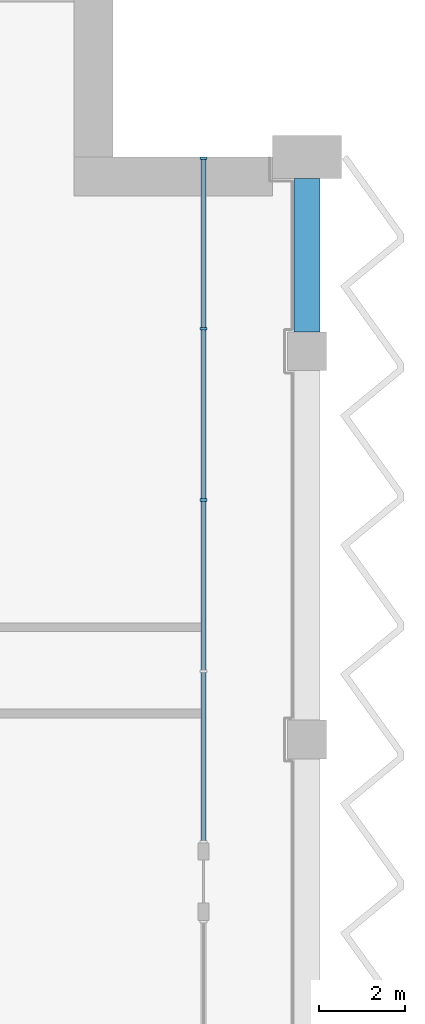
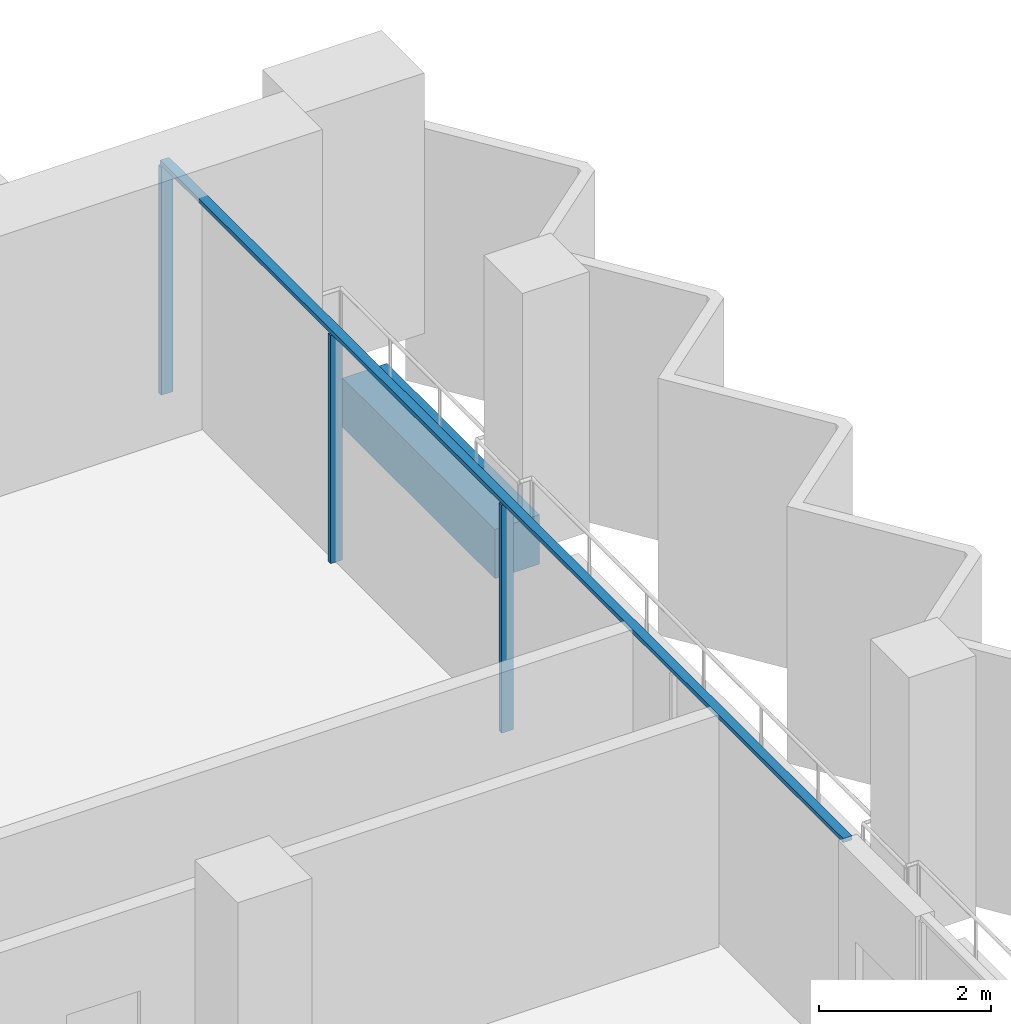
# One storey, part 5 of 16: 4 members, 1 beam, 1 element without a shape of its own.
"""IFC4 building model written with IfcOpenShell, lengths in metres."""

from ifc_helpers import new_model, si_unit, direction, frame, origin, origin_2d, place, context, subcontext, project, spatial, rectangle, extrude, material, material_profile, profile_set, type_object, element, aggregate, save


model = new_model("IFC4")

# Units and contexts
model_context = context("Model", 3, precision=1e-05, world=origin(), true_north=direction((0.0, 1.0)))
body_context = subcontext(model_context, "Body", "Model", "MODEL_VIEW")
ifc_project = project(units=[si_unit("LENGTHUNIT", "METRE"), si_unit("AREAUNIT", "SQUARE_METRE"), si_unit("VOLUMEUNIT", "CUBIC_METRE"), si_unit("PLANEANGLEUNIT", "RADIAN"), si_unit("MASSUNIT", "GRAM", prefix="KILO")], contexts=[model_context])

# Site, building, storey
site_placement = place(None, origin())
site = spatial("IfcSite", under=ifc_project, at=site_placement, CompositionType="ELEMENT")
building_placement = place(site_placement, origin())
building = spatial("IfcBuilding", under=site, at=building_placement, Name="Hunhe Ridgeline Campus", CompositionType="ELEMENT")
storey_placement = place(building_placement, frame((0.0, 0.0, 254.0)))
storey = spatial("IfcBuildingStorey", under=building, at=storey_placement, Name="L65", CompositionType="ELEMENT", Elevation=254.0)

# Curtain wall, members
ifc_material_1 = material(Name="Aluminium 6063", Category="aluminium")
curtain_wall_type = type_object("IfcCurtainWallType", Name="Curtain wall CW-1", PredefinedType="NOTDEFINED", material=ifc_material_1)
curtain_wall_placement = place(storey_placement, origin())
curtain_wall = element("IfcCurtainWall", 1, at=curtain_wall_placement, inside=storey, type_object=curtain_wall_type, Name="Curtain wall 14", PredefinedType="NOTDEFINED")
ifc_material_profile_1 = material_profile(ifc_material_1, rectangle(XDim=0.159912109375, YDim=0.06005859375, at=origin_2d()))
ifc_profile_set_1 = profile_set([ifc_material_profile_1], Name="Aluminium 6063")
member_type_1 = type_object("IfcMemberType", Name="CW-1 aluminium mullion", PredefinedType="MULLION", material=ifc_profile_set_1)
member_1_placement = place(storey_placement, frame((51.59912109375, 86.55029296875, 0.0), z_axis=(0.0, 0.0, 1.0), x_axis=(-1.0, 0.0, 0.0)))
member_1 = element("IfcMember", 2, at=member_1_placement, type_object=member_type_1, Name="CW-1 mullion 3", PredefinedType="MULLION", context=body_context, shape_type="SweptSolid", body=[
    extrude(rectangle(XDim=0.159912109375, YDim=0.06005859375, at=origin_2d()), origin(), (0.0, 0.0, 1.0), 3.239990234375),
])
member_2_placement = place(storey_placement, frame((51.59912109375, 90.525146484375, 0.0), z_axis=(0.0, 0.0, 1.0), x_axis=(-1.0, 0.0, 0.0)))
member_2 = element("IfcMember", 3, at=member_2_placement, type_object=member_type_1, Name="CW-1 mullion 4", PredefinedType="MULLION", context=body_context, shape_type="SweptSolid", body=[
    extrude(rectangle(XDim=0.159912109375, YDim=0.06005859375, at=origin_2d()), origin(), (0.0, 0.0, 1.0), 3.239990234375),
])
member_3_placement = place(storey_placement, frame((51.59912109375, 94.469970703125, 0.0), z_axis=(0.0, 0.0, 1.0), x_axis=(-1.0, 0.0, 0.0)))
member_3 = element("IfcMember", 4, at=member_3_placement, type_object=member_type_1, Name="CW-1 mullion 5", PredefinedType="MULLION", context=body_context, shape_type="SweptSolid", body=[
    extrude(rectangle(XDim=0.159912109375, YDim=0.06005859375, at=origin_2d()), origin(), (0.0, 0.0, 1.0), 3.239990234375),
])
ifc_material_profile_2 = material_profile(ifc_material_1, rectangle(XDim=0.1201171875, YDim=0.06005859375, at=origin_2d()))
ifc_profile_set_2 = profile_set([ifc_material_profile_2], Name="Aluminium 6063")
member_type_2 = type_object("IfcMemberType", Name="CW-1 aluminium transom", PredefinedType="USERDEFINED", material=ifc_profile_set_2)
member_4_placement = place(storey_placement, frame((51.59912109375, 78.6005859375, 3.27001953125), z_axis=(0.0, 1.0, 0.0), x_axis=(-1.0, 0.0, 0.0)))
member_4 = element("IfcMember", 5, at=member_4_placement, type_object=member_type_2, Name="CW-1 transom 1", ObjectType="TRANSOM", PredefinedType="USERDEFINED", context=body_context, shape_type="SweptSolid", body=[
    extrude(rectangle(XDim=0.1201171875, YDim=0.06005859375, at=origin_2d()), origin(), (0.0, 0.0, 1.0), 15.8994140625),
])
aggregate(curtain_wall, [member_4, member_1, member_2, member_3])

# Beam
ifc_material_2 = material(Name="Concrete C50", Category="concrete")
ifc_material_profile_3 = material_profile(ifc_material_2, rectangle(XDim=0.60009765625, YDim=0.699951171875, at=origin_2d()))
ifc_profile_set_3 = profile_set([ifc_material_profile_3], Name="Concrete C50")
beam_type = type_object("IfcBeamType", Name="RC spandrel beam 600x700 Concrete C50", PredefinedType="SPANDREL", material=ifc_profile_set_3)
beam_placement = place(storey_placement, frame((54.0, 90.449951171875, -0.60009765625), z_axis=(0.0, 1.0, 0.0), x_axis=(-1.0, 0.0, 0.0)))
element("IfcBeam", 6, at=beam_placement, inside=storey, type_object=beam_type, Name="Spandrel beam B4-17 L65", PredefinedType="SPANDREL", context=body_context, shape_type="SweptSolid", body=[
    extrude(rectangle(XDim=0.60009765625, YDim=0.699951171875, at=origin_2d()), origin(), (0.0, 0.0, 1.0), 3.550048828125),
])

save(model, "model.ifc")
